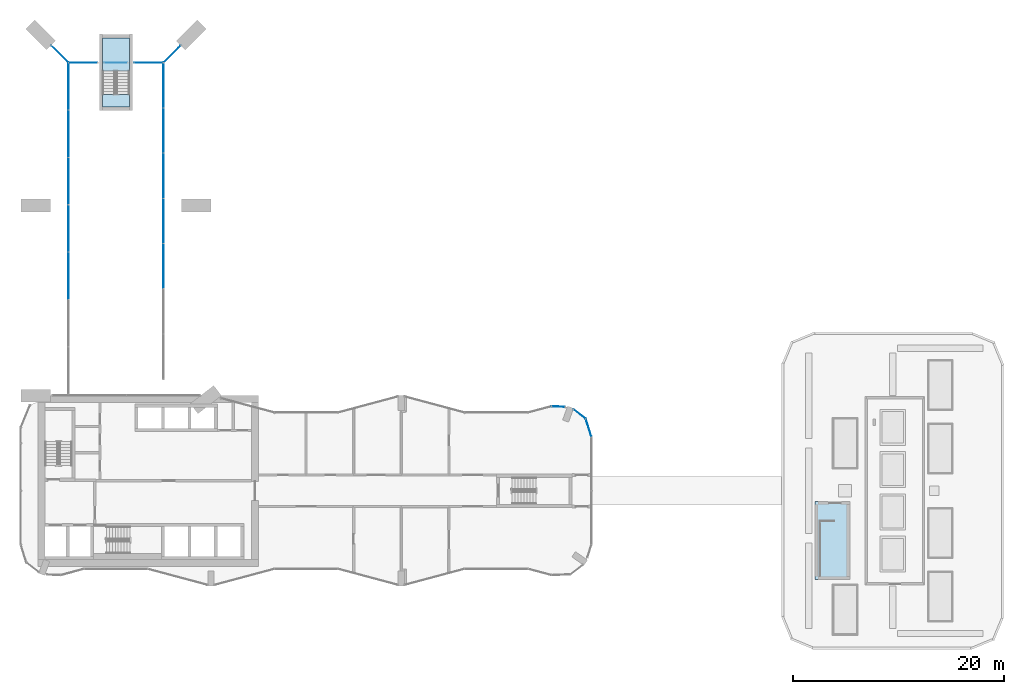
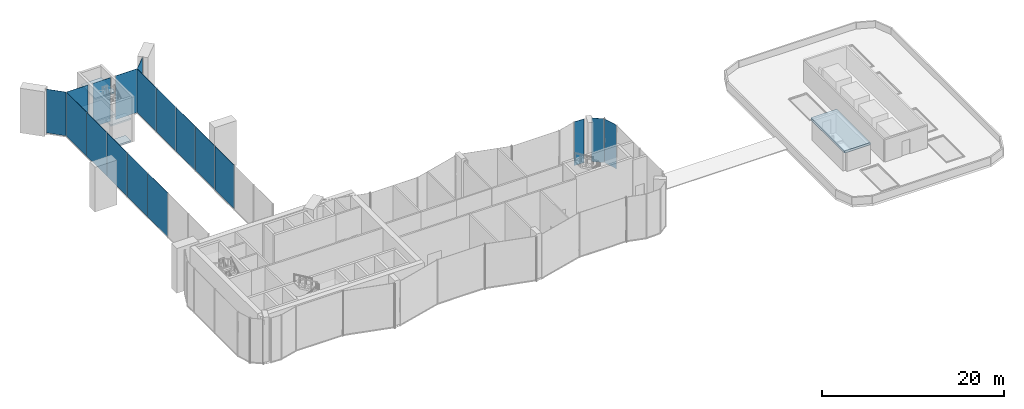
# One storey, part 9 of 19: 18 plates, 5 slabs, 11 elements without a shape of their own.
"""IFC4 building model written with IfcOpenShell, lengths in metres."""

from ifc_helpers import new_model, si_unit, direction, frame, origin, origin_2d, place, context, subcontext, project, spatial, polyline, rectangle, outline, extrude, material, layer, layer_set, type_object, element, aggregate, save


model = new_model("IFC4")

# Units and contexts
model_context = context("Model", 3, precision=1e-05, world=origin(), true_north=direction((0.0, 1.0)))
body_context = subcontext(model_context, "Body", "Model", "MODEL_VIEW")
ifc_project = project(units=[si_unit("LENGTHUNIT", "METRE"), si_unit("AREAUNIT", "SQUARE_METRE"), si_unit("VOLUMEUNIT", "CUBIC_METRE"), si_unit("PLANEANGLEUNIT", "RADIAN"), si_unit("MASSUNIT", "GRAM", prefix="KILO")], contexts=[model_context])

# Site, building, storey
site_placement = place(None, origin())
site = spatial("IfcSite", under=ifc_project, at=site_placement, CompositionType="ELEMENT")
building_placement = place(site_placement, origin())
building = spatial("IfcBuilding", under=site, at=building_placement, Name="Plateau Cross Towers", CompositionType="ELEMENT")
storey_placement = place(building_placement, frame((0.0, 0.0, 128.60009765625)))
storey = spatial("IfcBuildingStorey", under=building, at=storey_placement, Name="L33", CompositionType="ELEMENT", Elevation=128.60009765625)

# Curtain wall, plate
ifc_material_1 = material(Name="Dark low-iron glass", Category="glass")
ifc_layer_1 = layer(ifc_material_1, 0.239990234375)
ifc_layer_set_1 = layer_set([ifc_layer_1], Name="Dark low-iron glass")
curtain_wall_type = type_object("IfcCurtainWallType", Name="Curtain wall flush unitised CW-B", PredefinedType="NOTDEFINED", material=ifc_layer_set_1)
curtain_wall_1_placement = place(storey_placement, origin())
curtain_wall_1 = element("IfcCurtainWall", 1, at=curtain_wall_1_placement, inside=storey, type_object=curtain_wall_type, Name="ENV/A/L33/A540_141", PredefinedType="NOTDEFINED")
ifc_layer_2 = layer(ifc_material_1, 0.031982421875)
ifc_layer_set_2 = layer_set([ifc_layer_2], Name="Dark low-iron glass")
plate_type = type_object("IfcPlateType", Name="Glass panel 32 flush unitised", PredefinedType="CURTAIN_PANEL", material=ifc_layer_set_2)
plate_1_placement = place(storey_placement, frame((53.728759765625, 14.951171875, -0.179931640625), z_axis=(0.0, 0.0, 1.0), x_axis=(-0.300686174994, 0.95372313811, 0.0)))
plate_1 = element("IfcPlate", 2, at=plate_1_placement, type_object=plate_type, Name="CW-B panel 1", PredefinedType="CURTAIN_PANEL", context=body_context, shape_type="SweptSolid", body=[
    extrude(rectangle(XDim=1.744140625, YDim=0.031982421875, at=origin_2d()), origin(), (0.0, 0.0, 1.0), 5.8798828125),
])
aggregate(curtain_wall_1, [plate_1])

curtain_wall_2_placement = place(storey_placement, origin())
curtain_wall_2 = element("IfcCurtainWall", 3, at=curtain_wall_2_placement, inside=storey, type_object=curtain_wall_type, Name="ENV/A/L33/A535_158", PredefinedType="NOTDEFINED")
plate_2_placement = place(storey_placement, frame((52.873779296875, 16.25927734375, -0.179931640625), z_axis=(0.0, 0.0, 1.0), x_axis=(-0.793315514529, 0.608810721331, 0.0)))
plate_2 = element("IfcPlate", 4, at=plate_2_placement, type_object=plate_type, Name="CW-B panel 1", PredefinedType="CURTAIN_PANEL", context=body_context, shape_type="SweptSolid", body=[
    extrude(rectangle(XDim=1.41162109375, YDim=0.031982421875, at=origin_2d()), origin(), (0.0, 0.0, 1.0), 5.8798828125),
])
aggregate(curtain_wall_2, [plate_2])

curtain_wall_3_placement = place(storey_placement, origin())
curtain_wall_3 = element("IfcCurtainWall", 5, at=curtain_wall_3_placement, inside=storey, type_object=curtain_wall_type, Name="ENV/A/L33/A515_169", PredefinedType="NOTDEFINED")
plate_3_placement = place(storey_placement, frame((50.8701171875, 16.96044921875, -0.179931640625), z_axis=(0.0, 0.0, 1.0), x_axis=(-0.999043701491, 0.043722791671, 0.0)))
plate_3 = element("IfcPlate", 6, at=plate_3_placement, type_object=plate_type, Name="CW-B panel 1", PredefinedType="CURTAIN_PANEL", context=body_context, shape_type="SweptSolid", body=[
    extrude(rectangle(XDim=1.233642578125, YDim=0.031982421875, at=origin_2d()), origin(), (0.0, 0.0, 1.0), 5.8798828125),
])
aggregate(curtain_wall_3, [plate_3])

curtain_wall_4_placement = place(storey_placement, origin())
curtain_wall_4 = element("IfcCurtainWall", 7, at=curtain_wall_4_placement, inside=storey, type_object=curtain_wall_type, Name="ENV/A/L33/sky45_495_73_495", PredefinedType="NOTDEFINED")
plate_4_placement = place(storey_placement, frame((5.887451171875, 49.5, 0.119873046875), z_axis=(0.0, 0.0, 1.0), x_axis=(1.0, 0.0, 0.0)))
plate_4 = element("IfcPlate", 8, at=plate_4_placement, type_object=plate_type, Name="CW-B panel 1", PredefinedType="CURTAIN_PANEL", context=body_context, shape_type="SweptSolid", body=[
    extrude(rectangle(XDim=2.715087890625, YDim=0.031982421875, at=origin_2d()), origin(), (0.0, 0.0, 1.0), 5.8798828125),
])
aggregate(curtain_wall_4, [plate_4])

curtain_wall_5_placement = place(storey_placement, origin())
curtain_wall_5 = element("IfcCurtainWall", 9, at=curtain_wall_5_placement, inside=storey, type_object=curtain_wall_type, Name="ENV/A/L33/sky79_495_101_495", PredefinedType="NOTDEFINED")
plate_5_placement = place(storey_placement, frame((9.0, 49.5, 0.119873046875), z_axis=(0.0, 0.0, 1.0), x_axis=(1.0, 0.0, 0.0)))
plate_5 = element("IfcPlate", 10, at=plate_5_placement, type_object=plate_type, Name="CW-B panel 1", PredefinedType="CURTAIN_PANEL", context=body_context, shape_type="SweptSolid", body=[
    extrude(rectangle(XDim=2.18994140625, YDim=0.031982421875, at=origin_2d()), origin(), (0.0, 0.0, 1.0), 5.8798828125),
])
aggregate(curtain_wall_5, [plate_5])

curtain_wall_6_placement = place(storey_placement, origin())
curtain_wall_6 = element("IfcCurtainWall", 11, at=curtain_wall_6_placement, inside=storey, type_object=curtain_wall_type, Name="ENV/A/L33/sky107_495_135_495", PredefinedType="NOTDEFINED")
plate_6_placement = place(storey_placement, frame((12.112548828125, 49.5, 0.119873046875), z_axis=(0.0, 0.0, 1.0), x_axis=(1.0, 0.0, 0.0)))
plate_6 = element("IfcPlate", 12, at=plate_6_placement, type_object=plate_type, Name="CW-B panel 1", PredefinedType="CURTAIN_PANEL", context=body_context, shape_type="SweptSolid", body=[
    extrude(rectangle(XDim=2.715087890625, YDim=0.031982421875, at=origin_2d()), origin(), (0.0, 0.0, 1.0), 5.8798828125),
])
aggregate(curtain_wall_6, [plate_6])

# Curtain wall, plates
curtain_wall_7_placement = place(storey_placement, origin())
curtain_wall_7 = element("IfcCurtainWall", 13, at=curtain_wall_7_placement, inside=storey, type_object=curtain_wall_type, Name="ENV/A/L33/sky135_495_135_196", PredefinedType="NOTDEFINED")
plate_7_placement = place(storey_placement, frame((13.5, 47.361328125, 0.119873046875), z_axis=(0.0, 0.0, 1.0), x_axis=(0.0, -1.0, 0.0)))
plate_7 = element("IfcPlate", 14, at=plate_7_placement, type_object=plate_type, Name="CW-B panel 1", PredefinedType="CURTAIN_PANEL", context=body_context, shape_type="SweptSolid", body=[
    extrude(rectangle(XDim=4.21728515625, YDim=0.031982421875, at=origin_2d()), origin(), (0.0, 0.0, 1.0), 5.8798828125),
])
plate_8_placement = place(storey_placement, frame((13.5, 43.084228515625, 0.119873046875), z_axis=(0.0, 0.0, 1.0), x_axis=(0.0, -1.0, 0.0)))
plate_8 = element("IfcPlate", 15, at=plate_8_placement, type_object=plate_type, Name="CW-B panel 2", PredefinedType="CURTAIN_PANEL", context=body_context, shape_type="SweptSolid", body=[
    extrude(rectangle(XDim=4.21728515625, YDim=0.031982421875, at=origin_2d()), origin(), (0.0, 0.0, 1.0), 5.8798828125),
])
plate_9_placement = place(storey_placement, frame((13.5, 38.806884765625, 0.119873046875), z_axis=(0.0, 0.0, 1.0), x_axis=(0.0, -1.0, 0.0)))
plate_9 = element("IfcPlate", 16, at=plate_9_placement, type_object=plate_type, Name="CW-B panel 3", PredefinedType="CURTAIN_PANEL", context=body_context, shape_type="SweptSolid", body=[
    extrude(rectangle(XDim=4.21728515625, YDim=0.031982421875, at=origin_2d()), origin(), (0.0, 0.0, 1.0), 5.8798828125),
])
plate_10_placement = place(storey_placement, frame((13.5, 34.529541015625, 0.119873046875), z_axis=(0.0, 0.0, 1.0), x_axis=(0.0, -1.0, 0.0)))
plate_10 = element("IfcPlate", 17, at=plate_10_placement, type_object=plate_type, Name="CW-B panel 4", PredefinedType="CURTAIN_PANEL", context=body_context, shape_type="SweptSolid", body=[
    extrude(rectangle(XDim=4.21728515625, YDim=0.031982421875, at=origin_2d()), origin(), (0.0, 0.0, 1.0), 5.8798828125),
])
plate_11_placement = place(storey_placement, frame((13.5, 30.25244140625, 0.119873046875), z_axis=(0.0, 0.0, 1.0), x_axis=(0.0, -1.0, 0.0)))
plate_11 = element("IfcPlate", 18, at=plate_11_placement, type_object=plate_type, Name="CW-B panel 5", PredefinedType="CURTAIN_PANEL", context=body_context, shape_type="SweptSolid", body=[
    extrude(rectangle(XDim=4.21728515625, YDim=0.031982421875, at=origin_2d()), origin(), (0.0, 0.0, 1.0), 5.8798828125),
])
aggregate(curtain_wall_7, [plate_7, plate_8, plate_9, plate_10, plate_11])

curtain_wall_8_placement = place(storey_placement, origin())
curtain_wall_8 = element("IfcCurtainWall", 19, at=curtain_wall_8_placement, inside=storey, type_object=curtain_wall_type, Name="ENV/A/L33/sky45_182_45_495", PredefinedType="NOTDEFINED")
plate_12_placement = place(storey_placement, frame((4.5, 29.346435546875, 0.119873046875), z_axis=(0.0, 0.0, 1.0), x_axis=(0.0, 1.0, 0.0)))
plate_12 = element("IfcPlate", 20, at=plate_12_placement, type_object=plate_type, Name="CW-B panel 3", PredefinedType="CURTAIN_PANEL", context=body_context, shape_type="SweptSolid", body=[
    extrude(rectangle(XDim=4.41845703125, YDim=0.031982421875, at=origin_2d()), origin(), (0.0, 0.0, 1.0), 5.8798828125),
])
plate_13_placement = place(storey_placement, frame((4.5, 33.824951171875, 0.119873046875), z_axis=(0.0, 0.0, 1.0), x_axis=(0.0, 1.0, 0.0)))
plate_13 = element("IfcPlate", 21, at=plate_13_placement, type_object=plate_type, Name="CW-B panel 4", PredefinedType="CURTAIN_PANEL", context=body_context, shape_type="SweptSolid", body=[
    extrude(rectangle(XDim=4.41845703125, YDim=0.031982421875, at=origin_2d()), origin(), (0.0, 0.0, 1.0), 5.8798828125),
])
plate_14_placement = place(storey_placement, frame((4.5, 38.303466796875, 0.119873046875), z_axis=(0.0, 0.0, 1.0), x_axis=(0.0, 1.0, 0.0)))
plate_14 = element("IfcPlate", 22, at=plate_14_placement, type_object=plate_type, Name="CW-B panel 5", PredefinedType="CURTAIN_PANEL", context=body_context, shape_type="SweptSolid", body=[
    extrude(rectangle(XDim=4.41845703125, YDim=0.031982421875, at=origin_2d()), origin(), (0.0, 0.0, 1.0), 5.8798828125),
])
plate_15_placement = place(storey_placement, frame((4.5, 42.7822265625, 0.119873046875), z_axis=(0.0, 0.0, 1.0), x_axis=(0.0, 1.0, 0.0)))
plate_15 = element("IfcPlate", 23, at=plate_15_placement, type_object=plate_type, Name="CW-B panel 6", PredefinedType="CURTAIN_PANEL", context=body_context, shape_type="SweptSolid", body=[
    extrude(rectangle(XDim=4.41845703125, YDim=0.031982421875, at=origin_2d()), origin(), (0.0, 0.0, 1.0), 5.8798828125),
])
plate_16_placement = place(storey_placement, frame((4.5, 47.2607421875, 0.119873046875), z_axis=(0.0, 0.0, 1.0), x_axis=(0.0, 1.0, 0.0)))
plate_16 = element("IfcPlate", 24, at=plate_16_placement, type_object=plate_type, Name="CW-B panel 7", PredefinedType="CURTAIN_PANEL", context=body_context, shape_type="SweptSolid", body=[
    extrude(rectangle(XDim=4.41845703125, YDim=0.031982421875, at=origin_2d()), origin(), (0.0, 0.0, 1.0), 5.8798828125),
])
aggregate(curtain_wall_8, [plate_12, plate_13, plate_14, plate_15, plate_16])

# Curtain wall, plate
curtain_wall_9_placement = place(storey_placement, origin())
curtain_wall_9 = element("IfcCurtainWall", 25, at=curtain_wall_9_placement, inside=storey, type_object=curtain_wall_type, Name="ENV/A/L33/sky151_511_135_495", PredefinedType="NOTDEFINED")
plate_17_placement = place(storey_placement, frame((14.32080078125, 50.32080078125, 0.119873046875), z_axis=(0.0, 0.0, 1.0), x_axis=(-0.707106781187, -0.707106781187, 0.0)))
plate_17 = element("IfcPlate", 26, at=plate_17_placement, type_object=plate_type, Name="CW-B panel 1", PredefinedType="CURTAIN_PANEL", context=body_context, shape_type="SweptSolid", body=[
    extrude(rectangle(XDim=2.26123046875, YDim=0.031982421875, at=origin_2d()), origin(), (0.0, 0.0, 1.0), 5.8798828125),
])
aggregate(curtain_wall_9, [plate_17])

curtain_wall_10_placement = place(storey_placement, origin())
curtain_wall_10 = element("IfcCurtainWall", 27, at=curtain_wall_10_placement, inside=storey, type_object=curtain_wall_type, Name="ENV/A/L33/sky29_511_45_495", PredefinedType="NOTDEFINED")
plate_18_placement = place(storey_placement, frame((3.67919921875, 50.32080078125, 0.119873046875), z_axis=(0.0, 0.0, 1.0), x_axis=(0.707106781187, -0.707106781187, 0.0)))
plate_18 = element("IfcPlate", 28, at=plate_18_placement, type_object=plate_type, Name="CW-B panel 1", PredefinedType="CURTAIN_PANEL", context=body_context, shape_type="SweptSolid", body=[
    extrude(rectangle(XDim=2.26123046875, YDim=0.031982421875, at=origin_2d()), origin(), (0.0, 0.0, 1.0), 5.8798828125),
])
aggregate(curtain_wall_10, [plate_18])

# Slab
ifc_material_2 = material(Name="Concrete C40/50", Category="concrete")
ifc_layer_3 = layer(ifc_material_2, 0.300048828125)
ifc_layer_set_3 = layer_set([ifc_layer_3], Name="Concrete C40/50")
slab_type_1 = type_object("IfcSlabType", Name="Head house roof slab", PredefinedType="ROOF", material=ifc_layer_set_3)
slab_1_placement = place(storey_placement, frame((0.0, 0.0, 2.699951171875)))
element("IfcSlab", 29, at=slab_1_placement, inside=storey, type_object=slab_type_1, Name="Stair head house roof SB-1", PredefinedType="ROOF", context=body_context, shape_type="SweptSolid", body=[
    extrude(outline(polyline([(75.14990234375, 8.0), (75.14990234375, 0.60009765625), (78.449951171875, 0.60009765625), (78.449951171875, 8.0), (75.14990234375, 8.0)])), origin(), (0.0, 0.0, 1.0), 0.300048828125),
])

# Stair, slabs
stair_type = type_object("IfcStairType", Name="ST-TWR", PredefinedType="HALF_TURN_STAIR", material=ifc_material_2)
stair_placement = place(storey_placement, origin())
stair = element("IfcStair", 30, at=stair_placement, inside=storey, type_object=stair_type, Name="L33 Protected Exit Stair N", PredefinedType="HALF_TURN_STAIR")
ifc_layer_4 = layer(ifc_material_2, 0.199951171875)
ifc_layer_set_4 = layer_set([ifc_layer_4], Name="Concrete C40/50")
slab_type_2 = type_object("IfcSlabType", Name="SL-LANDING", PredefinedType="LANDING", material=ifc_layer_set_4)
slab_2_placement = place(storey_placement, frame((0.0, 0.0, 1.2998046875)))
slab_2 = element("IfcSlab", 31, at=slab_2_placement, type_object=slab_type_2, Name="ES-N landing 1", PredefinedType="LANDING", context=body_context, shape_type="SweptSolid", body=[
    extrude(outline(polyline([(10.27490234375, 48.739990234375), (10.27490234375, 51.85009765625), (7.72509765625, 51.85009765625), (7.72509765625, 48.739990234375), (10.27490234375, 48.739990234375)])), origin(), (0.0, 0.0, 1.0), 0.2001953125),
])
slab_3_placement = place(storey_placement, frame((0.0, 0.0, 2.7998046875)))
slab_3 = element("IfcSlab", 32, at=slab_3_placement, type_object=slab_type_2, Name="ES-N landing 2", PredefinedType="LANDING", context=body_context, shape_type="SweptSolid", body=[
    extrude(outline(polyline([(10.27490234375, 45.300048828125), (10.27490234375, 46.5), (7.72509765625, 46.5), (7.72509765625, 45.300048828125), (10.27490234375, 45.300048828125)])), origin(), (0.0, 0.0, 1.0), 0.2001953125),
])
slab_4_placement = place(storey_placement, frame((0.0, 0.0, 4.2998046875)))
slab_4 = element("IfcSlab", 33, at=slab_4_placement, type_object=slab_type_2, Name="ES-N landing 3", PredefinedType="LANDING", context=body_context, shape_type="SweptSolid", body=[
    extrude(outline(polyline([(10.27490234375, 48.739990234375), (10.27490234375, 51.85009765625), (7.72509765625, 51.85009765625), (7.72509765625, 48.739990234375), (10.27490234375, 48.739990234375)])), origin(), (0.0, 0.0, 1.0), 0.2001953125),
])
aggregate(stair, [slab_2, slab_3, slab_4])

# Slab
slab_5_placement = place(storey_placement, frame((0.0, 0.0, -0.2001953125)))
element("IfcSlab", 34, at=slab_5_placement, inside=storey, type_object=slab_type_2, Name="ES-N floor landing", PredefinedType="LANDING", context=body_context, shape_type="SweptSolid", body=[
    extrude(outline(polyline([(10.27490234375, 45.300048828125), (10.27490234375, 46.5), (7.72509765625, 46.5), (7.72509765625, 45.300048828125), (10.27490234375, 45.300048828125)])), origin(), (0.0, 0.0, 1.0), 0.2001953125),
])

save(model, "model.ifc")
